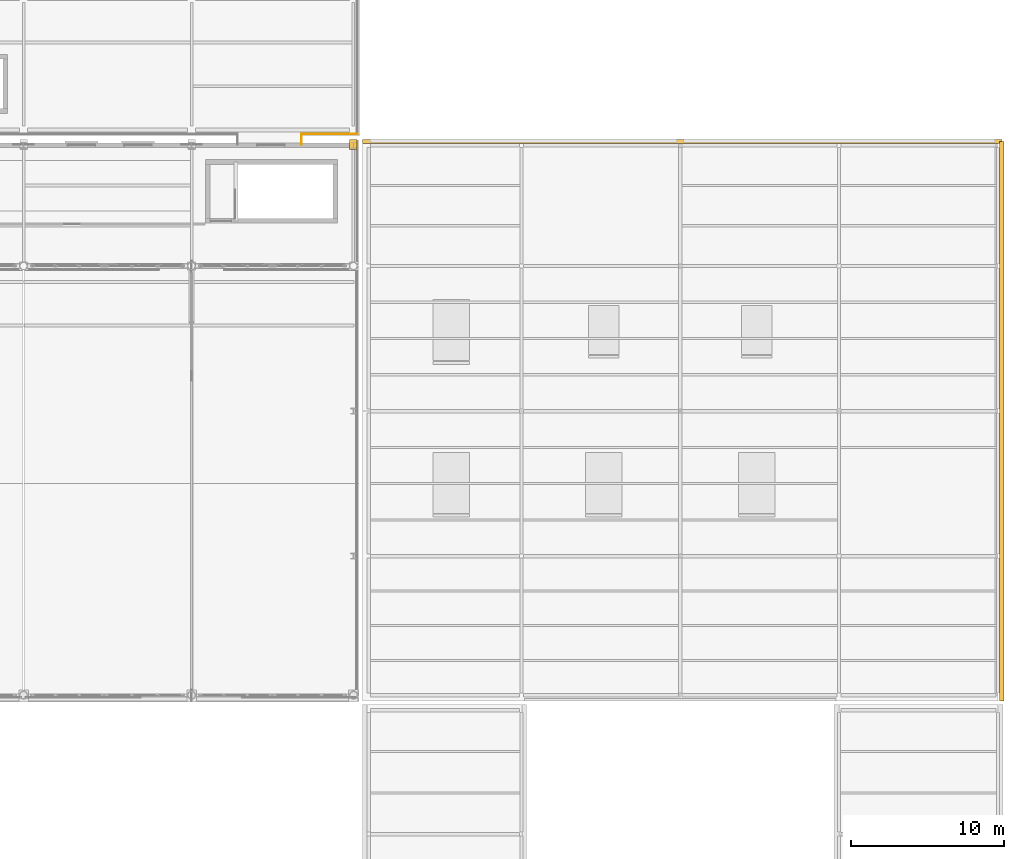
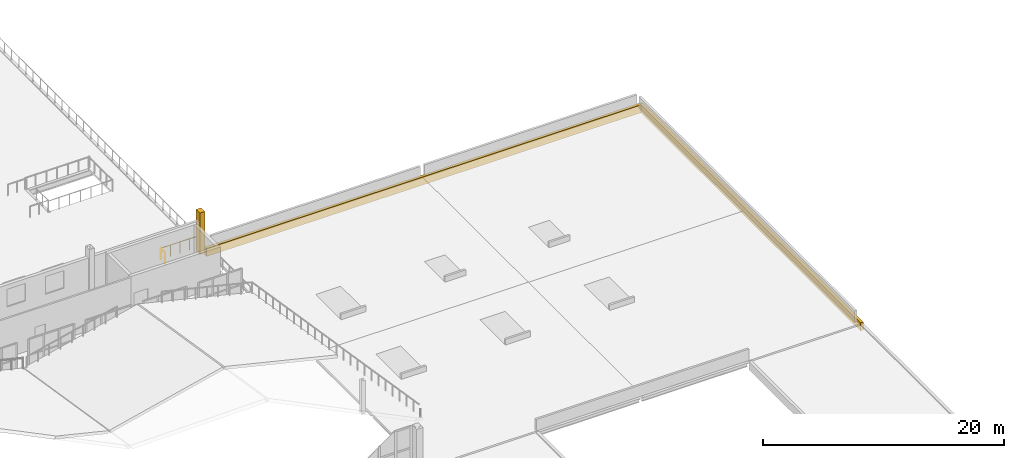
# One storey, part 119 of 120: 3 coverings, 2 railings.
"""IFC4 building model written with IfcOpenShell, lengths in metres."""

import ifcopenshell
import ifcopenshell.guid

model = None  # the IFC model being written
_history = None  # IfcOwnerHistory: only IFC2X3 demands one
_inside = {}  # id of a spatial element -> (the spatial element, [elements in it])
_under = {}  # id of a project, library or spatial element -> (it, [spatial elements below it])
_declared = {}  # id of a project -> (the project, [libraries it declares])
_typed = {}  # id of a type object -> (the type object, [elements of that type])
_made_of = {}  # id of a material, layer set ... -> (it, [elements and type objects made of it])


def new_model(schema):
    """Start an empty IFC model of exactly this schema.

    Asked for "IFC4X3", IfcOpenShell would pick the latest addendum, in which some entities
    have other attributes; the version numbers below select the first issue.
    IFC2X3 requires an IfcOwnerHistory on every rooted entity: one is made here for all.
    """
    global model, _history
    if schema == "IFC4X3":
        model = ifcopenshell.file(schema_version=(4, 3, 0, 0))
    else:
        model = ifcopenshell.file(schema=schema)
    _inside.clear()
    _under.clear()
    _declared.clear()
    _typed.clear()
    _made_of.clear()
    _history = None
    if model.schema == "IFC2X3":
        org = make("IfcOrganization", Name="unknown")
        user = make(
            "IfcPersonAndOrganization",
            ThePerson=make("IfcPerson", FamilyName="unknown"),
            TheOrganization=org,
        )
        app = make(
            "IfcApplication",
            ApplicationDeveloper=org,
            Version="unknown",
            ApplicationFullName="unknown",
            ApplicationIdentifier="unknown",
        )
        _history = make(
            "IfcOwnerHistory",
            OwningUser=user,
            OwningApplication=app,
            ChangeAction="ADDED",
            CreationDate=0,
        )
    return model


def make(cls, **values):
    """One entity of the class cls with the attributes given. An attribute that is None is left unset."""
    return model.create_entity(
        cls, **{name: value for name, value in values.items() if value is not None}
    )


def rooted(cls, **values):
    """An entity with a GlobalId (a new one), such as an element, a storey or a relation."""
    return make(cls, GlobalId=ifcopenshell.guid.new(), OwnerHistory=_history, **values)


def si_unit(unit_type, name, prefix=None):
    """IfcSIUnit, for example si_unit("LENGTHUNIT", "METRE", prefix="MILLI")."""
    return make("IfcSIUnit", UnitType=unit_type, Prefix=prefix, Name=name)


def assignment(units):
    """IfcUnitAssignment: the units of a project."""
    return None if units is None else make("IfcUnitAssignment", Units=units)


def point(xyz):
    """IfcCartesianPoint."""
    return None if xyz is None else make("IfcCartesianPoint", Coordinates=xyz)


def direction(xyz):
    """IfcDirection."""
    return None if xyz is None else make("IfcDirection", DirectionRatios=xyz)


def frame(location, z_axis=None, x_axis=None):
    """IfcAxis2Placement3D, a coordinate frame: its origin and axes. An axis left out is left unset."""
    return make(
        "IfcAxis2Placement3D",
        Location=point(location),
        Axis=direction(z_axis),
        RefDirection=direction(x_axis),
    )


def frame_2d(location, x_axis=None):
    """IfcAxis2Placement2D, a coordinate frame in the plane: its origin and x axis."""
    return make(
        "IfcAxis2Placement2D", Location=point(location), RefDirection=direction(x_axis)
    )


def origin():
    """The frame at (0, 0, 0) with its axes left unset."""
    return frame((0.0, 0.0, 0.0))


def origin_2d():
    """The frame at (0, 0) in the plane with its x axis left unset."""
    return frame_2d((0.0, 0.0))


def place(relative_to, where):
    """IfcLocalPlacement: puts the frame where relative to a parent placement (None: the world)."""
    return make(
        "IfcLocalPlacement", PlacementRelTo=relative_to, RelativePlacement=where
    )


def context(
    kind, dimensions, precision=None, world=None, true_north=None, identifier=None
):
    """IfcGeometricRepresentationContext, for example the 3D "Model" context."""
    return make(
        "IfcGeometricRepresentationContext",
        ContextIdentifier=identifier,
        ContextType=kind,
        CoordinateSpaceDimension=dimensions,
        Precision=precision,
        WorldCoordinateSystem=world,
        TrueNorth=true_north,
    )


def subcontext(parent, identifier, kind, view, scale=None):
    """IfcGeometricRepresentationSubContext, for example "Body" below "Model"."""
    return make(
        "IfcGeometricRepresentationSubContext",
        ContextIdentifier=identifier,
        ContextType=kind,
        ParentContext=parent,
        TargetScale=scale,
        TargetView=view,
    )


def project(units=None, contexts=None):
    """IfcProject with its units and contexts."""
    return rooted(
        "IfcProject",
        Name="project",
        RepresentationContexts=contexts,
        UnitsInContext=assignment(units),
    )


def spatial(cls, under=None, at=None, **own):
    """A site, building, storey or space (cls), placed at a placement, below another one or the project."""
    s = rooted(cls, ObjectPlacement=at, **own)
    if under is not None:
        _under.setdefault(under.id(), (under, []))[1].append(s)
    return s


def profile(cls, at=None, kind="AREA", **sizes):
    """A parametric profile (cls). Its sizes go by their IFC names, for example OverallWidth=200.0."""
    return make(cls, ProfileType=kind, Position=at, **sizes)


def rectangle(**sizes):
    """IfcRectangleProfileDef."""
    return profile("IfcRectangleProfileDef", **sizes)


def circle(**sizes):
    """IfcCircleProfileDef."""
    return profile("IfcCircleProfileDef", **sizes)


def extrude(swept, where, along, depth):
    """IfcExtrudedAreaSolid: the profile swept, set in the frame where, extruded along a direction by depth."""
    return make(
        "IfcExtrudedAreaSolid",
        SweptArea=swept,
        Position=where,
        ExtrudedDirection=direction(along),
        Depth=depth,
    )


def shape(context_of_items, identifier, shape_type, items):
    """IfcShapeRepresentation: the items that make up one representation, for example the "Body"."""
    return make(
        "IfcShapeRepresentation",
        ContextOfItems=context_of_items,
        RepresentationIdentifier=identifier,
        RepresentationType=shape_type,
        Items=items,
    )


def material(Name=None, Category=None):
    """IfcMaterial."""
    return make("IfcMaterial", Name=Name, Category=Category)


def layer(
    of_material, thickness, ventilated=None, Name=None, Category=None, Priority=None
):
    """IfcMaterialLayer: one layer of a wall or slab, of a material (None: an air gap)."""
    return make(
        "IfcMaterialLayer",
        Material=of_material,
        LayerThickness=thickness,
        IsVentilated=ventilated,
        Name=Name,
        Category=Category,
        Priority=Priority,
    )


def layer_set(layers, Name=None):
    """IfcMaterialLayerSet."""
    return make("IfcMaterialLayerSet", MaterialLayers=layers, LayerSetName=Name)


def made_of(thing, what):
    """Note that an element or type object is made of a material, layer set ...; save() writes the relation."""
    if what is not None:
        _made_of.setdefault(what.id(), (what, []))[1].append(thing)
    return thing


def type_object(cls, material=None, **own):
    """A type object (cls), such as IfcWallType, which elements share."""
    return made_of(rooted(cls, **own), material)


def element(
    cls,
    number,
    at=None,
    inside=None,
    cuts=None,
    type_object=None,
    material=None,
    context=None,
    identifier="Body",
    shape_type=None,
    held_by="IfcProductDefinitionShape",
    body=None,
    shapes=None,
    **own,
):
    """One element of the class cls, such as IfcWall. Its Tag is "e" and its number.

    at: its placement. inside: the storey or other place that contains it. cuts: it is an
    opening in that element (IfcRelVoidsElement). A single representation is given by context,
    identifier, shape_type and body (its items); several are given by shapes. held_by: the class
    of the entity that holds the representations. save() writes the other relations.
    """
    e = rooted(cls, Tag="e%d" % number, ObjectPlacement=at, **own)
    if body is not None:
        shapes = [shape(context, identifier, shape_type, body)]
    if shapes is not None:
        e.Representation = make(held_by, Representations=shapes)
    if inside is not None:
        _inside.setdefault(inside.id(), (inside, []))[1].append(e)
    if cuts is not None:
        rooted(
            "IfcRelVoidsElement", RelatingBuildingElement=cuts, RelatedOpeningElement=e
        )
    if type_object is not None:
        _typed.setdefault(type_object.id(), (type_object, []))[1].append(e)
    return made_of(e, material)


def aggregate(whole, parts):
    """IfcRelAggregates: a whole, such as a stair, and the parts it consists of."""
    return rooted("IfcRelAggregates", RelatingObject=whole, RelatedObjects=parts)


def save(model, path):
    """Write the relations noted so far, then the file.

    IfcRelAggregates (storeys below a building ...), IfcRelContainedInSpatialStructure (elements
    in a storey), IfcRelDefinesByType, IfcRelAssociatesMaterial and IfcRelDeclares: one each for
    every whole, place, type object, material and project.
    """
    for whole, parts in _under.values():
        aggregate(whole, parts)
    for where, things in _inside.values():
        rooted(
            "IfcRelContainedInSpatialStructure",
            RelatedElements=things,
            RelatingStructure=where,
        )
    for kind, things in _typed.values():
        rooted("IfcRelDefinesByType", RelatedObjects=things, RelatingType=kind)
    for what, things in _made_of.values():
        rooted("IfcRelAssociatesMaterial", RelatedObjects=things, RelatingMaterial=what)
    for by, libraries in _declared.values():
        rooted("IfcRelDeclares", RelatingContext=by, RelatedDefinitions=libraries)
    model.write(path)


model = new_model("IFC4")

# Units and contexts
model_context = context("Model", 3, precision=1e-05, world=origin(), true_north=direction((0.0, 1.0)))
body_context = subcontext(model_context, "Body", "Model", "MODEL_VIEW")
ifc_project = project(units=[si_unit("LENGTHUNIT", "METRE"), si_unit("AREAUNIT", "SQUARE_METRE"), si_unit("VOLUMEUNIT", "CUBIC_METRE"), si_unit("PLANEANGLEUNIT", "RADIAN"), si_unit("MASSUNIT", "GRAM", prefix="KILO")], contexts=[model_context])

# Site, building, storey
site_placement = place(None, origin())
site = spatial("IfcSite", under=ifc_project, at=site_placement, CompositionType="ELEMENT")
building_placement = place(site_placement, origin())
building = spatial("IfcBuilding", under=site, at=building_placement, Name="Caurita Quay Ferry Terminal", CompositionType="ELEMENT")
storey_placement = place(building_placement, frame((0.0, 0.0, 9.89990234375)))
storey = spatial("IfcBuildingStorey", under=building, at=storey_placement, Name="L02", CompositionType="ELEMENT", Elevation=9.89990234375)

# Coverings
ifc_material_1 = material(Name="Coral stone ashlar cladding", Category="masonry")
ifc_layer_1 = layer(ifc_material_1, 0.239990234375, Name="Classical coral-stone entablature and cornice moulding 240 mm")
ifc_layer_set_1 = layer_set([ifc_layer_1], Name="Coral stone ashlar cladding")
covering_type_1 = type_object("IfcCoveringType", Name="COV-ENT-MLD", PredefinedType="MOLDING", material=ifc_layer_set_1)
covering_1_placement = place(storey_placement, frame((174.260009765625, 34.199951171875, -0.75), z_axis=(0.0, 0.0, 1.0), x_axis=(0.0, 1.0, 0.0)))
element("IfcCovering", 1, at=covering_1_placement, inside=storey, type_object=covering_type_1, Name="L02 Classical Entablature Cornice 051", PredefinedType="MOLDING", context=body_context, shape_type="SweptSolid", body=[
    extrude(rectangle(XDim=36.650146484375, YDim=0.280029296875, at=frame_2d((18.3251953125, 0.0))), origin(), (0.0, 0.0, 1.0), 0.81005859375),
])
covering_2_placement = place(storey_placement, frame((174.260009765625, 70.860107421875, -0.75), z_axis=(0.0, 0.0, 1.0), x_axis=(-1.0, 0.0, 0.0)))
element("IfcCovering", 2, at=covering_2_placement, inside=storey, type_object=covering_type_1, Name="L02 Classical Entablature Cornice 052", PredefinedType="MOLDING", context=body_context, shape_type="SweptSolid", body=[
    extrude(rectangle(XDim=41.860107421875, YDim=0.280029296875, at=frame_2d((20.93017578125, 0.0))), origin(), (0.0, 0.0, 1.0), 0.81005859375),
])
ifc_material_2 = material(Name="Warm-white lime stucco masonry", Category="masonry")
ifc_layer_2 = layer(ifc_material_2, 0.179931640625, Name="Classical engaged lime-stucco facade pilaster cladding 180 mm")
ifc_layer_set_2 = layer_set([ifc_layer_2], Name="Warm-white lime stucco masonry")
covering_type_2 = type_object("IfcCoveringType", Name="COV-PIL-CLD", PredefinedType="CLADDING", material=ifc_layer_set_2)
covering_3_placement = place(storey_placement, frame((131.800048828125, 70.64990234375, 0.0), z_axis=(0.0, 0.0, 1.0), x_axis=(1.0, 0.0, 0.0)))
element("IfcCovering", 3, at=covering_3_placement, inside=storey, type_object=covering_type_2, Name="L02 Classical Engaged Pilaster 0116", PredefinedType="CLADDING", context=body_context, shape_type="SweptSolid", body=[
    extrude(rectangle(XDim=0.488037109375, YDim=0.635986328125, at=origin_2d()), origin(), (0.0, 0.0, 1.0), 4.199951171875),
])

# Railings
ifc_material_3 = material(Name="Bronze architectural metalwork", Category="metal")
railing_type = type_object("IfcRailingType", Name="RL-REJA-115", PredefinedType="BALUSTRADE", material=ifc_material_3)
railing_1_placement = place(storey_placement, frame((132.050048828125, 71.35009765625, 0.0)))
element("IfcRailing", 4, at=railing_1_placement, inside=storey, type_object=railing_type, Name="Upper Roof Garden Balustrade (037)", PredefinedType="BALUSTRADE", context=body_context, shape_type="SweptSolid", body=[
    extrude(circle(Radius=0.02392578125, at=origin_2d()), frame((0.0, 0.0, 1.1259765625), z_axis=(-1.0, 0.0, 0.0), x_axis=(0.0, -1.0, 0.0)), (0.0, 0.0, 1.0), 3.650146484375),
    extrude(circle(Radius=0.02099609375, at=origin_2d()), origin(), (0.0, 0.0, 1.0), 1.101806640625),
    extrude(circle(Radius=0.02099609375, at=origin_2d()), frame((-0.91259765625, 0.0, 0.0)), (0.0, 0.0, 1.0), 1.101806640625),
    extrude(circle(Radius=0.02099609375, at=origin_2d()), frame((-1.8251953125, 0.0, 0.0)), (0.0, 0.0, 1.0), 1.101806640625),
    extrude(circle(Radius=0.02099609375, at=origin_2d()), frame((-2.737548828125, 0.0, 0.0)), (0.0, 0.0, 1.0), 1.101806640625),
    extrude(circle(Radius=0.02099609375, at=origin_2d()), frame((-3.650146484375, 0.0, 0.0)), (0.0, 0.0, 1.0), 1.101806640625),
])
railing_2_placement = place(storey_placement, frame((128.39990234375, 70.64990234375, 0.0)))
element("IfcRailing", 5, at=railing_2_placement, inside=storey, type_object=railing_type, Name="Upper Garden Joint Bridge Guard East (039)", PredefinedType="BALUSTRADE", context=body_context, shape_type="SweptSolid", body=[
    extrude(circle(Radius=0.02392578125, at=origin_2d()), frame((0.0, 0.0, 1.1259765625), z_axis=(0.0, 1.0, 0.0), x_axis=(-1.0, 0.0, 0.0)), (0.0, 0.0, 1.0), 0.7001953125),
    extrude(circle(Radius=0.02099609375, at=origin_2d()), origin(), (0.0, 0.0, 1.0), 1.101806640625),
    extrude(circle(Radius=0.02099609375, at=origin_2d()), frame((0.0, 0.7001953125, 0.0)), (0.0, 0.0, 1.0), 1.101806640625),
])

save(model, "model.ifc")
